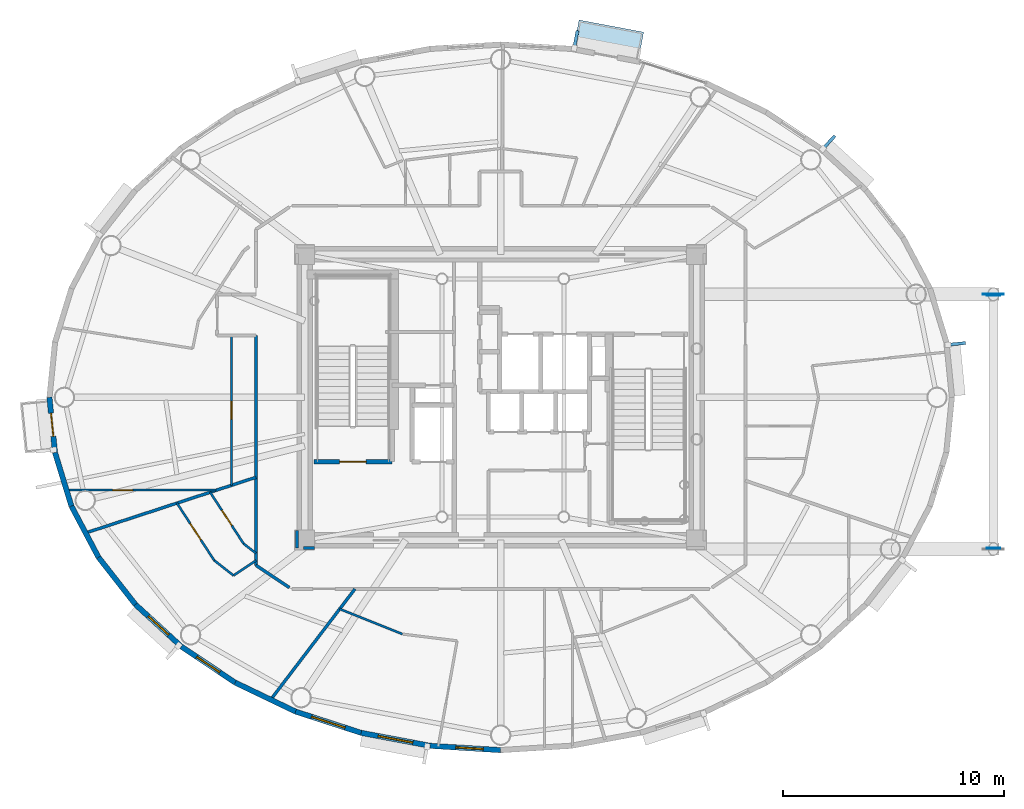
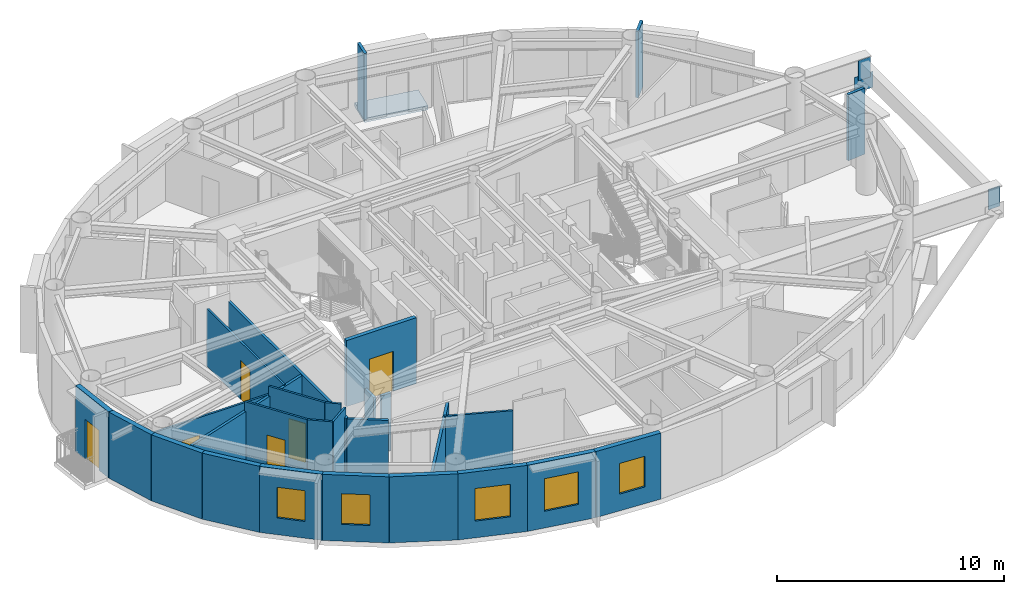
# One storey, part 5 of 17: 25 walls, 6 doors, 6 plates, 5 windows, 1 slab, 11 openings.
"""IFC4 building model written with IfcOpenShell, lengths in metres."""

from ifc_helpers import new_model, si_unit, direction, frame, frame_2d, origin, origin_2d, place, context, subcontext, project, spatial, polyline, rectangle, outline, extrude, source, transform, mapped, material, layer, layer_set, type_object, element, fill, save


model = new_model("IFC4")

# Units and contexts
model_context = context("Model", 3, precision=1e-05, world=origin(), true_north=direction((0.0, 1.0)))
body_context = subcontext(model_context, "Body", "Model", "MODEL_VIEW")
ifc_project = project(units=[si_unit("LENGTHUNIT", "METRE"), si_unit("AREAUNIT", "SQUARE_METRE"), si_unit("VOLUMEUNIT", "CUBIC_METRE"), si_unit("PLANEANGLEUNIT", "RADIAN"), si_unit("MASSUNIT", "GRAM", prefix="KILO")], contexts=[model_context])

# Site, building, storey
site_placement = place(None, origin())
site = spatial("IfcSite", under=ifc_project, at=site_placement, CompositionType="ELEMENT")
building_placement = place(site_placement, origin())
building = spatial("IfcBuilding", under=site, at=building_placement, Name="Linh Dai School and Residence Tower", CompositionType="ELEMENT")
storey_placement = place(building_placement, frame((0.0, 0.0, 335.39990234375)))
storey = spatial("IfcBuildingStorey", under=building, at=storey_placement, Name="L83", CompositionType="ELEMENT", Elevation=335.39990234375)

# Slab
ifc_material_1 = material(Name="Concrete B45 (C35/45)", Category="concrete")
ifc_layer_1 = layer(ifc_material_1, 0.219970703125)
ifc_layer_set_1 = layer_set([ifc_layer_1], Name="Concrete B45 (C35/45)")
slab_type = type_object("IfcSlabType", Name="SLB-BALC-220", PredefinedType="FLOOR", material=ifc_layer_set_1)
slab_placement = place(storey_placement, frame((0.0, 0.0, -0.219970703125)))
element("IfcSlab", 1, at=slab_placement, inside=storey, type_object=slab_type, Name="L83 Sliding Balcony Slab 09", PredefinedType="FLOOR", context=body_context, shape_type="SweptSolid", body=[
    extrude(outline(polyline([(39.298095703125, 42.759033203125), (42.214111328125, 42.210693359375), (42.454345703125, 43.48828125), (39.538330078125, 44.03662109375), (39.298095703125, 42.759033203125)])), origin(), (0.0, 0.0, 1.0), 0.219970703125),
])

# Plates
ifc_material_2 = material(Name="Structural Steel S355JR", Category="steel")
ifc_layer_2 = layer(ifc_material_2, 0.0400390625)
ifc_layer_set_2 = layer_set([ifc_layer_2], Name="Structural Steel S355JR")
plate_type_1 = type_object("IfcPlateType", Name="PLT-GP1", PredefinedType="USERDEFINED", material=ifc_layer_set_2)
shared_shape_1 = source(origin(), body_context, "Body", "SweptSolid", [
    extrude(rectangle(XDim=0.949951171875, YDim=0.0400390625, at=origin_2d()), origin(), (0.0, 0.0, 1.0), 0.85009765625),
])
plate_placement = place(storey_placement, frame((58.25, 31.65478515625, 1.625), z_axis=(0.0, 0.0, 1.0), x_axis=(1.0, 0.0, 0.0)))
element("IfcPlate", 2, at=plate_placement, inside=storey, type_object=plate_type_1, Name="L83 Sky-Lounge Lower Strut Gusset N", ObjectType="GUSSET PLATE", PredefinedType="USERDEFINED", context=body_context, shape_type="MappedRepresentation", body=[
    mapped(shared_shape_1, transform((0.0, 0.0, 0.0), x_axis=(1.0, 0.0, 0.0), y_axis=(0.0, 1.0, 0.0), z_axis=(0.0, 0.0, 1.0), scale=1.0)),
])
shared_shape_2 = source(origin(), body_context, "Body", "SweptSolid", [
    extrude(rectangle(XDim=0.60009765625, YDim=0.0400390625, at=origin_2d()), origin(), (0.0, 0.0, 1.0), 1.080078125),
])
for number, where, z_axis, x_axis, name in (
    (3, (58.25, 20.1875, 2.260009765625), (0.0, 0.0, 1.0), (1.0, 0.0, 0.0), "L83 Sky-Lounge Transverse Girder End Plate S1-S"),
    (4, (58.25, 31.61474609375, 2.260009765625), (0.0, 0.0, 1.0), (1.0, 0.0, 0.0), "L83 Sky-Lounge Transverse Girder End Plate S1-N"),
):
    element("IfcPlate", number, at=place(storey_placement, frame(where, z_axis=z_axis, x_axis=x_axis)), inside=storey, type_object=plate_type_1, Name=name, ObjectType="GUSSET PLATE", PredefinedType="USERDEFINED", context=body_context, shape_type="MappedRepresentation", body=[
        mapped(shared_shape_2, transform((0.0, 0.0, 0.0), x_axis=(1.0, 0.0, 0.0), y_axis=(0.0, 1.0, 0.0), z_axis=(0.0, 0.0, 1.0), scale=1.0)),
    ])
ifc_material_3 = material(Name="Precast Concrete B45 (C35/45)", Category="concrete")
ifc_layer_3 = layer(ifc_material_3, 0.139892578125)
ifc_layer_set_3 = layer_set([ifc_layer_3], Name="Precast Concrete B45 (C35/45)")
plate_type_2 = type_object("IfcPlateType", Name="FIN-TC-900x140", PredefinedType="USERDEFINED", material=ifc_layer_set_3)
shared_shape_3 = source(origin(), body_context, "Body", "SweptSolid", [
    extrude(rectangle(XDim=0.89990234375, YDim=0.139892578125, at=origin_2d()), origin(), (0.0, 0.0, 1.0), 3.550048828125),
])
for number, where, z_axis, x_axis, name in (
    (5, (56.544921875, 29.408447265625, 0.0), (0.0, 0.0, 1.0), (0.994988264886, 0.099991763355, 0.0), "L83 Precast Terracotta Radial Fin 01"),
    (6, (50.7841796875, 38.475341796875, 0.0), (0.0, 0.0, 1.0), (0.675840935412, 0.73704750866, 0.0), "L83 Precast Terracotta Radial Fin 05"),
    (7, (39.38525390625, 43.114013671875, 0.0), (0.0, 0.0, 1.0), (0.184784564405, 0.982779051851, 0.0), "L83 Precast Terracotta Radial Fin 09"),
):
    element("IfcPlate", number, at=place(storey_placement, frame(where, z_axis=z_axis, x_axis=x_axis)), inside=storey, type_object=plate_type_2, Name=name, ObjectType="RADIAL FIN", PredefinedType="USERDEFINED", context=body_context, shape_type="MappedRepresentation", body=[
        mapped(shared_shape_3, transform((0.0, 0.0, 0.0), x_axis=(1.0, 0.0, 0.0), y_axis=(0.0, 1.0, 0.0), z_axis=(0.0, 0.0, 1.0), scale=1.0)),
    ])

# Wall, opening, door
ifc_layer_4 = layer(ifc_material_3, 0.239990234375)
ifc_layer_set_4 = layer_set([ifc_layer_4], Name="Precast Concrete B45 (C35/45)")
wall_type_1 = type_object("IfcWallType", Name="EW-TC-240", PredefinedType="SOLIDWALL", material=ifc_layer_set_4)
wall_1_placement = place(storey_placement, frame((15.875, 24.51318359375, 0.0), z_axis=(0.0, 0.0, 1.0), x_axis=(-0.100025963401, 0.994984827344, 0.0)))
wall_1 = element("IfcWall", 8, at=wall_1_placement, inside=storey, type_object=wall_type_1, Name="L83 Terracotta Exterior Wall 21", PredefinedType="SOLIDWALL", context=body_context, shape_type="SweptSolid", body=[
    extrude(rectangle(XDim=2.499267578125, YDim=0.239990234375, at=frame_2d((1.24951171875, 0.0))), origin(), (0.0, 0.0, 1.0), 3.550048828125),
])
opening_1_placement = place(wall_1_placement, frame((0.724609375, 0.0, 0.0)))
opening_1 = element("IfcOpeningElement", 9, at=opening_1_placement, cuts=wall_1, Name="Opening BD1", PredefinedType="OPENING", context=body_context, shape_type="SweptSolid", body=[
    extrude(rectangle(XDim=1.050048828125, YDim=2.14990234375, at=origin_2d()), frame((0.52490234375, 0.1298828125, 1.074951171875), z_axis=(0.0, -1.0, 0.0), x_axis=(1.0, 0.0, 0.0)), (0.0, 0.0, 1.0), 0.260009765625),
])
ifc_material_4 = material(Name="Double-Glazed Balcony Door", Category="glass")
door_type_1 = type_object("IfcDoorType", Name="DR-BALC-1050x2150", OperationType="NOTDEFINED", PredefinedType="DOOR", material=ifc_material_4)
shared_shape_4 = source(origin(), body_context, "Body", "SweptSolid", [
    extrude(rectangle(XDim=1.050048828125, YDim=2.14990234375, at=origin_2d()), frame((0.52490234375, 0.02490234375, 1.074951171875), z_axis=(0.0, -1.0, 0.0), x_axis=(1.0, 0.0, 0.0)), (0.0, 0.0, 1.0), 0.050048828125),
])
door_1_placement = place(opening_1_placement, origin())
door_1 = element("IfcDoor", 10, at=door_1_placement, inside=storey, type_object=door_type_1, Name="L83 Glazed Balcony Door 21", OperationType="SINGLE_SWING_LEFT", OverallHeight=2.14990234375, OverallWidth=1.050048828125, PredefinedType="DOOR", context=body_context, shape_type="MappedRepresentation", body=[
    mapped(shared_shape_4, transform((0.0, 0.0, 0.0), x_axis=(1.0, 0.0, 0.0), y_axis=(0.0, 1.0, 0.0), z_axis=(0.0, 0.0, 1.0), scale=1.0)),
])
fill(opening_1, door_1)

# Walls
wall_2_placement = place(storey_placement, frame((16.618896484375, 22.086669921875, 0.0), z_axis=(0.0, 0.0, 1.0), x_axis=(-0.293105547213, 0.956080089842, 0.0)))
element("IfcWall", 11, at=wall_2_placement, inside=storey, type_object=wall_type_1, Name="L83 Terracotta Exterior Wall 22", PredefinedType="SOLIDWALL", context=body_context, shape_type="SweptSolid", body=[
    extrude(rectangle(XDim=2.5380859375, YDim=0.239990234375, at=frame_2d((1.26904296875, 0.0))), origin(), (0.0, 0.0, 1.0), 3.550048828125),
])
wall_3_placement = place(storey_placement, frame((17.839111328125, 19.779296875, 0.0), z_axis=(0.0, 0.0, 1.0), x_axis=(-0.467487999989, 0.883999417345, 0.0)))
element("IfcWall", 12, at=wall_3_placement, inside=storey, type_object=wall_type_1, Name="L83 Terracotta Exterior Wall 23", PredefinedType="SOLIDWALL", context=body_context, shape_type="SweptSolid", body=[
    extrude(rectangle(XDim=2.610107421875, YDim=0.239990234375, at=frame_2d((1.30517578125, 0.0))), origin(), (0.0, 0.0, 1.0), 3.550048828125),
])
wall_4_placement = place(storey_placement, frame((19.5068359375, 17.648193359375, 0.0), z_axis=(0.0, 0.0, 1.0), x_axis=(-0.616286367698, 0.78752213492, 0.0)))
element("IfcWall", 13, at=wall_4_placement, inside=storey, type_object=wall_type_1, Name="L83 Terracotta Exterior Wall 24", PredefinedType="SOLIDWALL", context=body_context, shape_type="SweptSolid", body=[
    extrude(rectangle(XDim=2.7060546875, YDim=0.239990234375, at=frame_2d((1.35302734375, 0.0))), origin(), (0.0, 0.0, 1.0), 3.550048828125),
])

# Wall, opening, window
wall_5_placement = place(storey_placement, frame((21.581298828125, 15.745849609375, 0.0), z_axis=(0.0, 0.0, 1.0), x_axis=(-0.737020907932, 0.675869944051, 0.0)))
wall_5 = element("IfcWall", 14, at=wall_5_placement, inside=storey, type_object=wall_type_1, Name="L83 Terracotta Exterior Wall 25", PredefinedType="SOLIDWALL", context=body_context, shape_type="SweptSolid", body=[
    extrude(rectangle(XDim=2.814697265625, YDim=0.239990234375, at=frame_2d((1.4072265625, 0.0))), origin(), (0.0, 0.0, 1.0), 3.550048828125),
])
opening_2_placement = place(wall_5_placement, frame((0.781982421875, 0.0, 0.89990234375)))
opening_2 = element("IfcOpeningElement", 15, at=opening_2_placement, cuts=wall_5, Name="Opening W3", PredefinedType="OPENING", context=body_context, shape_type="SweptSolid", body=[
    extrude(rectangle(XDim=1.25, YDim=1.64990234375, at=origin_2d()), frame((0.625, 0.1298828125, 0.824951171875), z_axis=(0.0, -1.0, 0.0), x_axis=(1.0, 0.0, 0.0)), (0.0, 0.0, 1.0), 0.260009765625),
])
ifc_material_5 = material(Name="Double Low-E Insulated Glazing", Category="glass")
window_type_1 = type_object("IfcWindowType", Name="WN-RES-1250x1650", PartitioningType="SINGLE_PANEL", PredefinedType="WINDOW", material=ifc_material_5)
shared_shape_5 = source(origin(), body_context, "Body", "SweptSolid", [
    extrude(rectangle(XDim=1.25, YDim=1.64990234375, at=origin_2d()), frame((0.625, 0.030029296875, 0.824951171875), z_axis=(0.0, -1.0, 0.0), x_axis=(1.0, 0.0, 0.0)), (0.0, 0.0, 1.0), 0.06005859375),
])
window_1_placement = place(opening_2_placement, origin())
window_1 = element("IfcWindow", 16, at=window_1_placement, inside=storey, type_object=window_type_1, Name="L83 Exterior Window 25.1", OverallHeight=1.64990234375, OverallWidth=1.25, PartitioningType="SINGLE_PANEL", PredefinedType="WINDOW", context=body_context, shape_type="MappedRepresentation", body=[
    mapped(shared_shape_5, transform((0.0, 0.0, 0.0), x_axis=(1.0, 0.0, 0.0), y_axis=(0.0, 1.0, 0.0), z_axis=(0.0, 0.0, 1.0), scale=1.0)),
])
fill(opening_2, window_1)

wall_6_placement = place(storey_placement, frame((24.01220703125, 14.119873046875, 0.0), z_axis=(0.0, 0.0, 1.0), x_axis=(-0.831201688654, 0.555970999944, 0.0)))
wall_6 = element("IfcWall", 17, at=wall_6_placement, inside=storey, type_object=wall_type_1, Name="L83 Terracotta Exterior Wall 26", PredefinedType="SOLIDWALL", context=body_context, shape_type="SweptSolid", body=[
    extrude(rectangle(XDim=2.924560546875, YDim=0.239990234375, at=frame_2d((1.46240234375, 0.0))), origin(), (0.0, 0.0, 1.0), 3.550048828125),
])
opening_3_placement = place(wall_6_placement, frame((0.837158203125, 0.0, 0.89990234375)))
opening_3 = element("IfcOpeningElement", 18, at=opening_3_placement, cuts=wall_6, Name="Opening W3", PredefinedType="OPENING", context=body_context, shape_type="SweptSolid", body=[
    extrude(rectangle(XDim=1.25, YDim=1.64990234375, at=origin_2d()), frame((0.625, 0.1298828125, 0.824951171875), z_axis=(0.0, -1.0, 0.0), x_axis=(1.0, 0.0, 0.0)), (0.0, 0.0, 1.0), 0.260009765625),
])
window_2_placement = place(opening_3_placement, origin())
window_2 = element("IfcWindow", 19, at=window_2_placement, inside=storey, type_object=window_type_1, Name="L83 Exterior Window 26.1", OverallHeight=1.64990234375, OverallWidth=1.25, PartitioningType="SINGLE_PANEL", PredefinedType="WINDOW", context=body_context, shape_type="MappedRepresentation", body=[
    mapped(shared_shape_5, transform((0.0, 0.0, 0.0), x_axis=(1.0, 0.0, 0.0), y_axis=(0.0, 1.0, 0.0), z_axis=(0.0, 0.0, 1.0), scale=1.0)),
])
fill(opening_3, window_2)

# Wall
wall_7_placement = place(storey_placement, frame((26.739501953125, 12.81103515625, 0.0), z_axis=(0.0, 0.0, 1.0), x_axis=(-0.901557057889, 0.432660226241, 0.0)))
element("IfcWall", 20, at=wall_7_placement, inside=storey, type_object=wall_type_1, Name="L83 Terracotta Exterior Wall 27", PredefinedType="SOLIDWALL", context=body_context, shape_type="SweptSolid", body=[
    extrude(rectangle(XDim=3.025146484375, YDim=0.239990234375, at=frame_2d((1.5126953125, 0.0))), origin(), (0.0, 0.0, 1.0), 3.550048828125),
])

# Wall, opening, window
wall_8_placement = place(storey_placement, frame((29.696044921875, 11.85205078125, 0.0), z_axis=(0.0, 0.0, 1.0), x_axis=(-0.951212850731, 0.308535431682, 0.0)))
wall_8 = element("IfcWall", 21, at=wall_8_placement, inside=storey, type_object=wall_type_1, Name="L83 Terracotta Exterior Wall 28", PredefinedType="SOLIDWALL", context=body_context, shape_type="SweptSolid", body=[
    extrude(rectangle(XDim=3.108154296875, YDim=0.239990234375, at=frame_2d((1.55419921875, 0.0))), origin(), (0.0, 0.0, 1.0), 3.550048828125),
])
opening_4_placement = place(wall_8_placement, frame((0.75390625, 0.0, 0.89990234375)))
opening_4 = element("IfcOpeningElement", 22, at=opening_4_placement, cuts=wall_8, Name="Opening W2", PredefinedType="OPENING", context=body_context, shape_type="SweptSolid", body=[
    extrude(rectangle(XDim=1.60009765625, YDim=1.75, at=origin_2d()), frame((0.800048828125, 0.1298828125, 0.875), z_axis=(0.0, -1.0, 0.0), x_axis=(1.0, 0.0, 0.0)), (0.0, 0.0, 1.0), 0.260009765625),
])
window_type_2 = type_object("IfcWindowType", Name="WN-RES-1600x1750", PartitioningType="DOUBLE_PANEL_VERTICAL", PredefinedType="WINDOW", material=ifc_material_5)
shared_shape_6 = source(origin(), body_context, "Body", "SweptSolid", [
    extrude(rectangle(XDim=1.60009765625, YDim=1.75, at=origin_2d()), frame((0.800048828125, 0.030029296875, 0.875), z_axis=(0.0, -1.0, 0.0), x_axis=(1.0, 0.0, 0.0)), (0.0, 0.0, 1.0), 0.06005859375),
])
window_3_placement = place(opening_4_placement, origin())
window_3 = element("IfcWindow", 23, at=window_3_placement, inside=storey, type_object=window_type_2, Name="L83 Exterior Window 28.1", OverallHeight=1.75, OverallWidth=1.60009765625, PartitioningType="DOUBLE_PANEL_VERTICAL", PredefinedType="WINDOW", context=body_context, shape_type="MappedRepresentation", body=[
    mapped(shared_shape_6, transform((0.0, 0.0, 0.0), x_axis=(1.0, 0.0, 0.0), y_axis=(0.0, 1.0, 0.0), z_axis=(0.0, 0.0, 1.0), scale=1.0)),
])
fill(opening_4, window_3)

wall_9_placement = place(storey_placement, frame((32.80859375, 11.2666015625, 0.0), z_axis=(0.0, 0.0, 1.0), x_axis=(-0.98276643264, 0.184851667226, 0.0)))
wall_9 = element("IfcWall", 24, at=wall_9_placement, inside=storey, type_object=wall_type_1, Name="L83 Terracotta Exterior Wall 29", PredefinedType="SOLIDWALL", context=body_context, shape_type="SweptSolid", body=[
    extrude(rectangle(XDim=3.167236328125, YDim=0.239990234375, at=frame_2d((1.58349609375, 0.0))), origin(), (0.0, 0.0, 1.0), 3.550048828125),
])
opening_5_placement = place(wall_9_placement, frame((0.783447265625, 0.0, 0.89990234375)))
opening_5 = element("IfcOpeningElement", 25, at=opening_5_placement, cuts=wall_9, Name="Opening W2", PredefinedType="OPENING", context=body_context, shape_type="SweptSolid", body=[
    extrude(rectangle(XDim=1.60009765625, YDim=1.75, at=origin_2d()), frame((0.800048828125, 0.1298828125, 0.875), z_axis=(0.0, -1.0, 0.0), x_axis=(1.0, 0.0, 0.0)), (0.0, 0.0, 1.0), 0.260009765625),
])
window_4_placement = place(opening_5_placement, origin())
window_4 = element("IfcWindow", 26, at=window_4_placement, inside=storey, type_object=window_type_2, Name="L83 Exterior Window 29.1", OverallHeight=1.75, OverallWidth=1.60009765625, PartitioningType="DOUBLE_PANEL_VERTICAL", PredefinedType="WINDOW", context=body_context, shape_type="MappedRepresentation", body=[
    mapped(shared_shape_6, transform((0.0, 0.0, 0.0), x_axis=(1.0, 0.0, 0.0), y_axis=(0.0, 1.0, 0.0), z_axis=(0.0, 0.0, 1.0), scale=1.0)),
])
fill(opening_5, window_4)

wall_10_placement = place(storey_placement, frame((36.0, 11.070068359375, 0.0), z_axis=(0.0, 0.0, 1.0), x_axis=(-0.998109204399, 0.061465568355, 0.0)))
wall_10 = element("IfcWall", 27, at=wall_10_placement, inside=storey, type_object=wall_type_1, Name="L83 Terracotta Exterior Wall 30", PredefinedType="SOLIDWALL", context=body_context, shape_type="SweptSolid", body=[
    extrude(rectangle(XDim=3.197509765625, YDim=0.239990234375, at=frame_2d((1.5986328125, 0.0))), origin(), (0.0, 0.0, 1.0), 3.550048828125),
])
opening_6_placement = place(wall_10_placement, frame((0.7841796875, 0.0, 0.89990234375)))
opening_6 = element("IfcOpeningElement", 28, at=opening_6_placement, cuts=wall_10, Name="Opening W3", PredefinedType="OPENING", context=body_context, shape_type="SweptSolid", body=[
    extrude(rectangle(XDim=1.25, YDim=1.64990234375, at=origin_2d()), frame((0.625, 0.1298828125, 0.824951171875), z_axis=(0.0, -1.0, 0.0), x_axis=(1.0, 0.0, 0.0)), (0.0, 0.0, 1.0), 0.260009765625),
])
window_5_placement = place(opening_6_placement, origin())
window_5 = element("IfcWindow", 29, at=window_5_placement, inside=storey, type_object=window_type_1, Name="L83 Exterior Window 30.1", OverallHeight=1.64990234375, OverallWidth=1.25, PartitioningType="SINGLE_PANEL", PredefinedType="WINDOW", context=body_context, shape_type="MappedRepresentation", body=[
    mapped(shared_shape_5, transform((0.0, 0.0, 0.0), x_axis=(1.0, 0.0, 0.0), y_axis=(0.0, 1.0, 0.0), z_axis=(0.0, 0.0, 1.0), scale=1.0)),
])
fill(opening_6, window_5)

# Walls
ifc_material_6 = material(Name="Autoclaved Aerated Concrete Blockwork", Category="masonry")
ifc_layer_5 = layer(ifc_material_6, 0.135009765625)
ifc_layer_set_5 = layer_set([ifc_layer_5], Name="Autoclaved Aerated Concrete Blockwork")
wall_type_2 = type_object("IfcWallType", Name="IW-CORR-135-EI90", PredefinedType="PARTITIONING", material=ifc_layer_set_5)
wall_11_placement = place(storey_placement, frame((17.25439453125, 20.874267578125, 0.0), z_axis=(0.0, 0.0, 1.0), x_axis=(0.950530431636, 0.310631451295, 0.0)))
element("IfcWall", 30, at=wall_11_placement, inside=storey, type_object=wall_type_2, Name="L83 Interior Partition Wall 003", PredefinedType="PARTITIONING", context=body_context, shape_type="SweptSolid", body=[
    extrude(rectangle(XDim=8.095947265625, YDim=0.135009765625, at=frame_2d((4.0478515625, 0.0))), origin(), (0.0, 0.0, 1.0), 3.03515625),
])
wall_12_placement = place(storey_placement, frame((24.949951171875, 19.41748046875, 0.0), z_axis=(0.0, 0.0, 1.0), x_axis=(0.0, 1.0, 0.0)))
element("IfcWall", 31, at=wall_12_placement, inside=storey, type_object=wall_type_2, Name="L83 Interior Partition Wall 016", PredefinedType="PARTITIONING", context=body_context, shape_type="SweptSolid", body=[
    extrude(rectangle(XDim=10.382568359375, YDim=0.135009765625, at=frame_2d((5.19140625, 0.0))), origin(), (0.0, 0.0, 1.0), 3.085205078125),
])
wall_13_placement = place(storey_placement, frame((24.949951171875, 19.41748046875, 0.0), z_axis=(0.0, 0.0, 1.0), x_axis=(0.831180227396, -0.556003084151, 0.0)))
element("IfcWall", 32, at=wall_13_placement, inside=storey, type_object=wall_type_2, Name="L83 Interior Partition Wall 017", PredefinedType="PARTITIONING", context=body_context, shape_type="SweptSolid", body=[
    extrude(rectangle(XDim=1.815185546875, YDim=0.135009765625, at=frame_2d((0.90771484375, 0.0))), origin(), (0.0, 0.0, 1.0), 3.085205078125),
])
wall_14_placement = place(storey_placement, frame((25.613525390625, 13.345703125, 0.0), z_axis=(0.0, 0.0, 1.0), x_axis=(0.605434685467, 0.7958949941, 0.0)))
element("IfcWall", 33, at=wall_14_placement, inside=storey, type_object=wall_type_2, Name="L83 Interior Partition Wall 020", PredefinedType="PARTITIONING", context=body_context, shape_type="SweptSolid", body=[
    extrude(rectangle(XDim=6.287353515625, YDim=0.135009765625, at=frame_2d((3.1435546875, 0.0))), origin(), (0.0, 0.0, 1.0), 3.03515625),
])
wall_15_placement = place(storey_placement, frame((26.800048828125, 20.989990234375, 0.0), z_axis=(0.0, 0.0, 1.0), x_axis=(0.0, -1.0, 0.0)))
element("IfcWall", 34, at=wall_15_placement, inside=storey, type_object=wall_type_2, Name="L83 Interior Partition Wall 099", PredefinedType="PARTITIONING", context=body_context, shape_type="SweptSolid", body=[
    extrude(rectangle(XDim=0.7900390625, YDim=0.135009765625, at=frame_2d((0.39501953125, 0.0))), origin(), (0.0, 0.0, 1.0), 3.085205078125),
])
wall_16_placement = place(storey_placement, frame((27.107421875, 20.199951171875, 0.0), z_axis=(0.0, 0.0, 1.0), x_axis=(1.0, 0.0, 0.0)))
element("IfcWall", 35, at=wall_16_placement, inside=storey, type_object=wall_type_2, Name="L83 Interior Partition Wall 100", PredefinedType="PARTITIONING", context=body_context, shape_type="SweptSolid", body=[
    extrude(rectangle(XDim=0.482666015625, YDim=0.135009765625, at=frame_2d((0.2412109375, 0.0))), origin(), (0.0, 0.0, 1.0), 3.085205078125),
])

# Wall, opening, door
ifc_layer_6 = layer(ifc_material_1, 0.199951171875)
ifc_layer_set_6 = layer_set([ifc_layer_6], Name="Concrete B45 (C35/45)")
wall_type_3 = type_object("IfcWallType", Name="IW-SHAFT-200-EI120", PredefinedType="PARTITIONING", material=ifc_layer_set_6)
wall_17_placement = place(storey_placement, frame((27.56005859375, 24.10009765625, 0.0), z_axis=(0.0, 0.0, 1.0), x_axis=(1.0, 0.0, 0.0)))
wall_17 = element("IfcWall", 36, at=wall_17_placement, inside=storey, type_object=wall_type_3, Name="L83 Interior Partition Wall 023", PredefinedType="PARTITIONING", context=body_context, shape_type="SweptSolid", body=[
    extrude(rectangle(XDim=3.5400390625, YDim=0.199951171875, at=frame_2d((1.77001953125, 0.0))), origin(), (0.0, 0.0, 1.0), 3.550048828125),
])
opening_7_placement = place(wall_17_placement, frame((1.169921875, 0.0, 0.0)))
opening_7 = element("IfcOpeningElement", 37, at=opening_7_placement, cuts=wall_17, Name="Opening D01", PredefinedType="OPENING", context=body_context, shape_type="SweptSolid", body=[
    extrude(rectangle(XDim=1.199951171875, YDim=2.14990234375, at=origin_2d()), frame((0.60009765625, 0.10986328125, 1.074951171875), z_axis=(0.0, -1.0, 0.0), x_axis=(1.0, 0.0, 0.0)), (0.0, 0.0, 1.0), 0.219970703125),
])
ifc_material_7 = material(Name="Fire-Rated Steel Door Leaf", Category="steel")
door_type_2 = type_object("IfcDoorType", Name="DR-STAIR-1200x2150-FD90S", OperationType="NOTDEFINED", PredefinedType="DOOR", material=ifc_material_7)
shared_shape_7 = source(origin(), body_context, "Body", "SweptSolid", [
    extrude(rectangle(XDim=1.199951171875, YDim=2.14990234375, at=origin_2d()), frame((0.60009765625, 0.02490234375, 1.074951171875), z_axis=(0.0, -1.0, 0.0), x_axis=(1.0, 0.0, 0.0)), (0.0, 0.0, 1.0), 0.050048828125),
])
door_2_placement = place(opening_7_placement, origin())
door_2 = element("IfcDoor", 38, at=door_2_placement, inside=storey, type_object=door_type_2, Name="L83 Core Smokeproof Exit Stair ST1 Door", OperationType="SINGLE_SWING_RIGHT", OverallHeight=2.14990234375, OverallWidth=1.199951171875, PredefinedType="DOOR", context=body_context, shape_type="MappedRepresentation", body=[
    mapped(shared_shape_7, transform((0.0, 0.0, 0.0), x_axis=(1.0, 0.0, 0.0), y_axis=(0.0, 1.0, 0.0), z_axis=(0.0, 0.0, 1.0), scale=1.0)),
])
fill(opening_7, door_2)

ifc_material_8 = material(Name="Gypsum Plasterboard Acoustic Stud Partition", Category="masonry")
ifc_layer_7 = layer(ifc_material_8, 0.10009765625)
ifc_layer_set_7 = layer_set([ifc_layer_7], Name="Gypsum Plasterboard Acoustic Stud Partition")
wall_type_4 = type_object("IfcWallType", Name="IW-UNIT-100", PredefinedType="PARTITIONING", material=ifc_layer_set_7)
wall_18_placement = place(storey_placement, frame((16.391357421875, 22.811767578125, 0.0), z_axis=(0.0, 0.0, 1.0), x_axis=(1.0, 0.0, 0.0)))
wall_18 = element("IfcWall", 39, at=wall_18_placement, inside=storey, type_object=wall_type_4, Name="L83 Interior Partition Wall 002", PredefinedType="PARTITIONING", context=body_context, shape_type="SweptSolid", body=[
    extrude(rectangle(XDim=6.75732421875, YDim=0.10009765625, at=frame_2d((3.378662109375, 0.0))), origin(), (0.0, 0.0, 1.0), 3.03515625),
])
opening_8_placement = place(wall_18_placement, frame((2.086181640625, 0.0, 0.0)))
opening_8 = element("IfcOpeningElement", 40, at=opening_8_placement, cuts=wall_18, Name="Opening D05", PredefinedType="OPENING", context=body_context, shape_type="SweptSolid", body=[
    extrude(rectangle(XDim=0.89990234375, YDim=2.10009765625, at=origin_2d()), frame((0.449951171875, 0.06005859375, 1.050048828125), z_axis=(0.0, -1.0, 0.0), x_axis=(1.0, 0.0, 0.0)), (0.0, 0.0, 1.0), 0.1201171875),
])
ifc_material_9 = material(Name="Engineered Timber Internal Door", Category="wood")
door_type_3 = type_object("IfcDoorType", Name="DR-INT-900x2100", OperationType="NOTDEFINED", PredefinedType="DOOR", material=ifc_material_9)
shared_shape_8 = source(origin(), body_context, "Body", "SweptSolid", [
    extrude(rectangle(XDim=0.89990234375, YDim=2.10009765625, at=origin_2d()), frame((0.449951171875, 0.02490234375, 1.050048828125), z_axis=(0.0, -1.0, 0.0), x_axis=(1.0, 0.0, 0.0)), (0.0, 0.0, 1.0), 0.050048828125),
])
door_3_placement = place(opening_8_placement, origin())
door_3 = element("IfcDoor", 41, at=door_3_placement, inside=storey, type_object=door_type_3, Name="L83 Apartment U8303 Kitchen Door", OperationType="SINGLE_SWING_RIGHT", OverallHeight=2.10009765625, OverallWidth=0.89990234375, PredefinedType="DOOR", context=body_context, shape_type="MappedRepresentation", body=[
    mapped(shared_shape_8, transform((0.0, 0.0, 0.0), x_axis=(1.0, 0.0, 0.0), y_axis=(0.0, 1.0, 0.0), z_axis=(0.0, 0.0, 1.0), scale=1.0)),
])
fill(opening_8, door_3)

wall_19_placement = place(storey_placement, frame((21.382568359375, 22.223388671875, 0.0), z_axis=(0.0, 0.0, 1.0), x_axis=(0.545308414619, -0.838235487763, 0.0)))
wall_19 = element("IfcWall", 42, at=wall_19_placement, inside=storey, type_object=wall_type_4, Name="L83 Interior Partition Wall 005", PredefinedType="PARTITIONING", context=body_context, shape_type="SweptSolid", body=[
    extrude(rectangle(XDim=3.0830078125, YDim=0.10009765625, at=frame_2d((1.54150390625, 0.0))), origin(), (0.0, 0.0, 1.0), 3.550048828125),
])
opening_9_placement = place(wall_19_placement, frame((1.091552734375, 0.0, 0.0)))
opening_9 = element("IfcOpeningElement", 43, at=opening_9_placement, cuts=wall_19, Name="Opening D05", PredefinedType="OPENING", context=body_context, shape_type="SweptSolid", body=[
    extrude(rectangle(XDim=0.89990234375, YDim=2.10009765625, at=origin_2d()), frame((0.449951171875, 0.06005859375, 1.050048828125), z_axis=(0.0, -1.0, 0.0), x_axis=(1.0, 0.0, 0.0)), (0.0, 0.0, 1.0), 0.1201171875),
])
door_4_placement = place(opening_9_placement, origin())
door_4 = element("IfcDoor", 44, at=door_4_placement, inside=storey, type_object=door_type_3, Name="L83 Apartment U8304 Kitchen Door", OperationType="SINGLE_SWING_RIGHT", OverallHeight=2.10009765625, OverallWidth=0.89990234375, PredefinedType="DOOR", context=body_context, shape_type="MappedRepresentation", body=[
    mapped(shared_shape_8, transform((0.0, 0.0, 0.0), x_axis=(1.0, 0.0, 0.0), y_axis=(0.0, 1.0, 0.0), z_axis=(0.0, 0.0, 1.0), scale=1.0)),
])
fill(opening_9, door_4)

wall_20_placement = place(storey_placement, frame((22.8818359375, 22.71337890625, 0.0), z_axis=(0.0, 0.0, 1.0), x_axis=(0.545338791734, -0.838215725353, 0.0)))
wall_20 = element("IfcWall", 45, at=wall_20_placement, inside=storey, type_object=wall_type_4, Name="L83 Interior Partition Wall 008", PredefinedType="PARTITIONING", context=body_context, shape_type="SweptSolid", body=[
    extrude(rectangle(XDim=2.7666015625, YDim=0.10009765625, at=frame_2d((1.38330078125, 0.0))), origin(), (0.0, 0.0, 1.0), 3.550048828125),
])
opening_10_placement = place(wall_20_placement, frame((0.973388671875, 0.0, 0.0)))
opening_10 = element("IfcOpeningElement", 46, at=opening_10_placement, cuts=wall_20, Name="Opening D06", PredefinedType="OPENING", context=body_context, shape_type="SweptSolid", body=[
    extrude(rectangle(XDim=0.820068359375, YDim=2.10009765625, at=origin_2d()), frame((0.41015625, 0.06005859375, 1.050048828125), z_axis=(0.0, -1.0, 0.0), x_axis=(1.0, 0.0, 0.0)), (0.0, 0.0, 1.0), 0.1201171875),
])
ifc_material_10 = material(Name="Moisture-Resistant Timber Bathroom Door", Category="wood")
door_type_4 = type_object("IfcDoorType", Name="DR-WET-820x2100", OperationType="NOTDEFINED", PredefinedType="DOOR", material=ifc_material_10)
shared_shape_9 = source(origin(), body_context, "Body", "SweptSolid", [
    extrude(rectangle(XDim=0.820068359375, YDim=2.10009765625, at=origin_2d()), frame((0.41015625, 0.02490234375, 1.050048828125), z_axis=(0.0, -1.0, 0.0), x_axis=(1.0, 0.0, 0.0)), (0.0, 0.0, 1.0), 0.050048828125),
])
door_5_placement = place(opening_10_placement, origin())
door_5 = element("IfcDoor", 47, at=door_5_placement, inside=storey, type_object=door_type_4, Name="L83 Apartment U8304 Bathroom Door", OperationType="SINGLE_SWING_LEFT", OverallHeight=2.10009765625, OverallWidth=0.820068359375, PredefinedType="DOOR", context=body_context, shape_type="MappedRepresentation", body=[
    mapped(shared_shape_9, transform((0.0, 0.0, 0.0), x_axis=(1.0, 0.0, 0.0), y_axis=(0.0, 1.0, 0.0), z_axis=(0.0, 0.0, 1.0), scale=1.0)),
])
fill(opening_10, door_5)

# Wall
wall_21_placement = place(storey_placement, frame((23.063720703125, 19.63916015625, 0.0), z_axis=(0.0, 0.0, 1.0), x_axis=(0.787374522117, -0.616474948332, 0.0)))
element("IfcWall", 48, at=wall_21_placement, inside=storey, type_object=wall_type_4, Name="L83 Interior Partition Wall 009", PredefinedType="PARTITIONING", context=body_context, shape_type="SweptSolid", body=[
    extrude(rectangle(XDim=1.105712890625, YDim=0.10009765625, at=frame_2d((0.552734375, 0.0))), origin(), (0.0, 0.0, 1.0), 3.550048828125),
])

# Wall, opening, door
wall_22_placement = place(storey_placement, frame((23.845947265625, 23.0283203125, 0.0), z_axis=(0.0, 0.0, 1.0), x_axis=(0.0, 1.0, 0.0)))
wall_22 = element("IfcWall", 49, at=wall_22_placement, inside=storey, type_object=wall_type_4, Name="L83 Interior Partition Wall 013", PredefinedType="PARTITIONING", context=body_context, shape_type="SweptSolid", body=[
    extrude(rectangle(XDim=6.771728515625, YDim=0.10009765625, at=frame_2d((3.3857421875, 0.0))), origin(), (0.0, 0.0, 1.0), 3.085205078125),
])
opening_11_placement = place(wall_22_placement, frame((2.975830078125, 0.0, 0.0)))
opening_11 = element("IfcOpeningElement", 50, at=opening_11_placement, cuts=wall_22, Name="Opening D06", PredefinedType="OPENING", context=body_context, shape_type="SweptSolid", body=[
    extrude(rectangle(XDim=0.820068359375, YDim=2.10009765625, at=origin_2d()), frame((0.41015625, 0.06005859375, 1.050048828125), z_axis=(0.0, -1.0, 0.0), x_axis=(1.0, 0.0, 0.0)), (0.0, 0.0, 1.0), 0.1201171875),
])
door_6_placement = place(opening_11_placement, origin())
door_6 = element("IfcDoor", 51, at=door_6_placement, inside=storey, type_object=door_type_4, Name="L83 Apartment U8303 Bathroom 1 Door", OperationType="SINGLE_SWING_LEFT", OverallHeight=2.10009765625, OverallWidth=0.820068359375, PredefinedType="DOOR", context=body_context, shape_type="MappedRepresentation", body=[
    mapped(shared_shape_9, transform((0.0, 0.0, 0.0), x_axis=(1.0, 0.0, 0.0), y_axis=(0.0, 1.0, 0.0), z_axis=(0.0, 0.0, 1.0), scale=1.0)),
])
fill(opening_11, door_6)

# Walls
wall_23_placement = place(storey_placement, frame((23.934326171875, 18.95751953125, 0.0), z_axis=(0.0, 0.0, 1.0), x_axis=(0.832081065286, 0.554654037029, 0.0)))
element("IfcWall", 52, at=wall_23_placement, inside=storey, type_object=wall_type_4, Name="L83 Interior Partition Wall 014", PredefinedType="PARTITIONING", context=body_context, shape_type="SweptSolid", body=[
    extrude(rectangle(XDim=1.220703125, YDim=0.10009765625, at=frame_2d((0.6103515625, 0.0))), origin(), (0.0, 0.0, 1.0), 3.550048828125),
])
wall_24_placement = place(storey_placement, frame((24.390625, 20.394287109375, 0.0), z_axis=(0.0, 0.0, 1.0), x_axis=(0.787164110493, -0.616743595956, 0.0)))
element("IfcWall", 53, at=wall_24_placement, inside=storey, type_object=wall_type_4, Name="L83 Interior Partition Wall 015", PredefinedType="PARTITIONING", context=body_context, shape_type="SweptSolid", body=[
    extrude(rectangle(XDim=0.71044921875, YDim=0.10009765625, at=frame_2d((0.355224609375, 0.0))), origin(), (0.0, 0.0, 1.0), 3.550048828125),
])
wall_25_placement = place(storey_placement, frame((28.730224609375, 17.443115234375, 0.0), z_axis=(0.0, 0.0, 1.0), x_axis=(0.928768706547, -0.370659803241, 0.0)))
element("IfcWall", 54, at=wall_25_placement, inside=storey, type_object=wall_type_4, Name="L83 Interior Partition Wall 025", PredefinedType="PARTITIONING", context=body_context, shape_type="SweptSolid", body=[
    extrude(rectangle(XDim=3.052978515625, YDim=0.10009765625, at=frame_2d((1.5263671875, 0.0))), origin(), (0.0, 0.0, 1.0), 3.085205078125),
])

save(model, "model.ifc")
